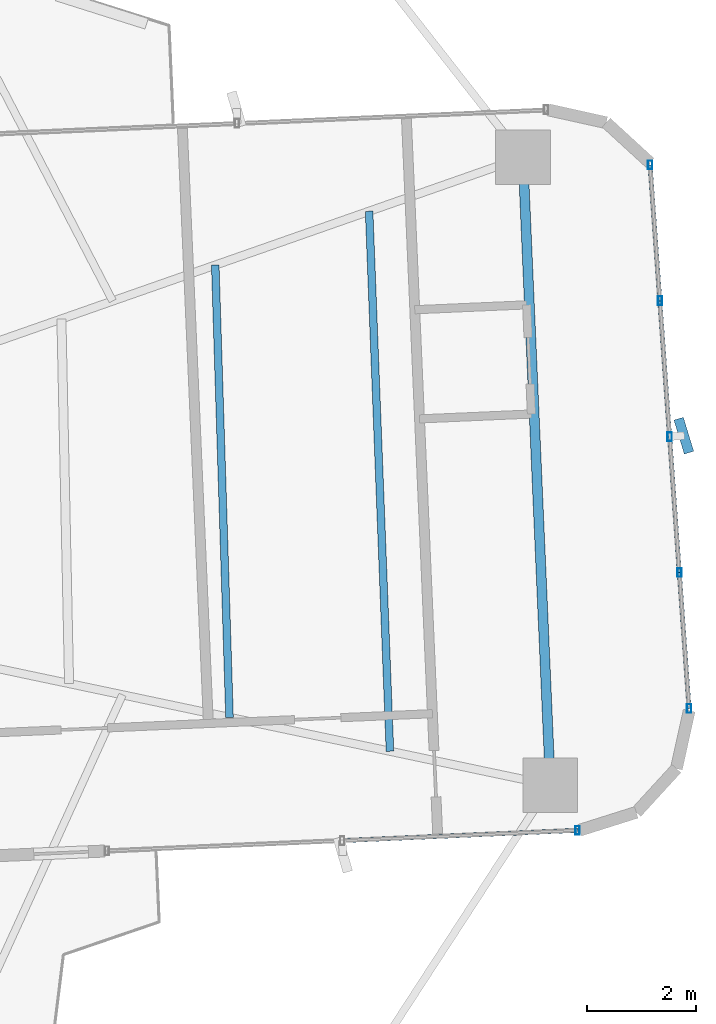
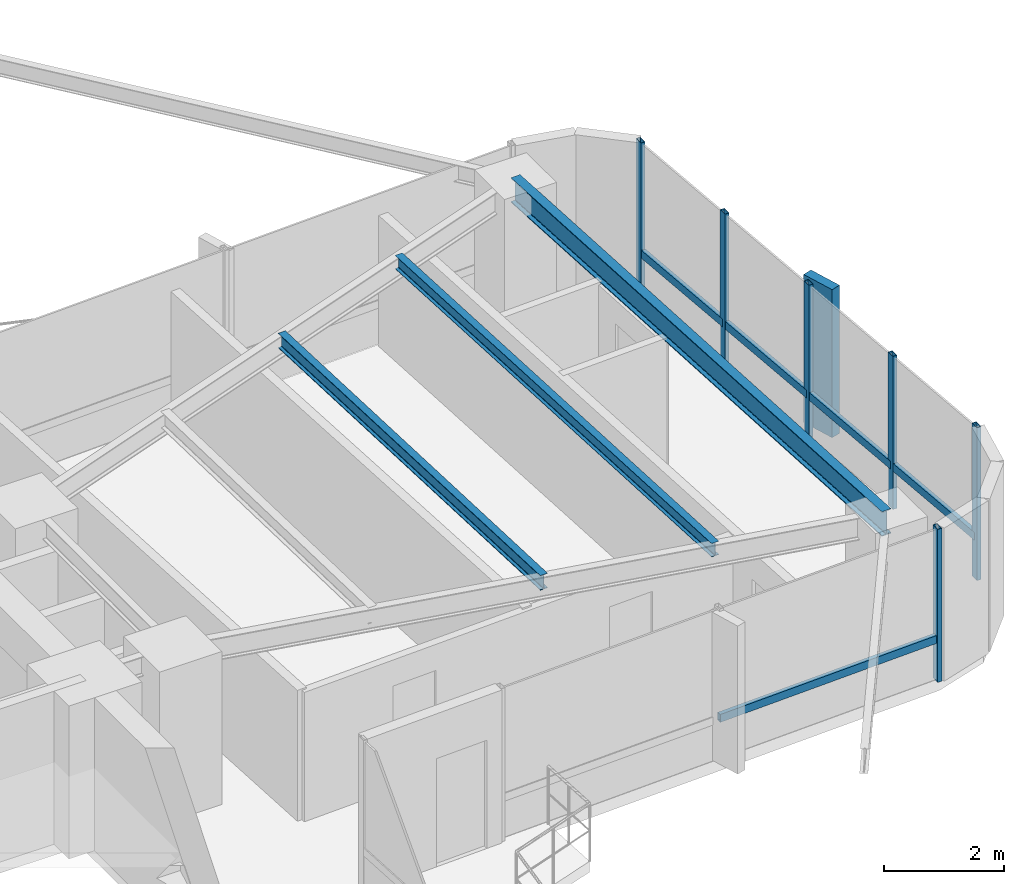
# One storey, part 15 of 26: 12 members, 3 beams, 2 elements without a shape of their own.
"""IFC4 building model written with IfcOpenShell, lengths in metres."""

from ifc_helpers import new_model, si_unit, direction, frame, origin, origin_2d, place, context, subcontext, project, spatial, rectangle, hollow_rectangle, i_section, extrude, source, transform, mapped, material, material_profile, profile_set, type_object, element, aggregate, save


model = new_model("IFC4")

# Units and contexts
model_context = context("Model", 3, precision=1e-05, world=origin(), true_north=direction((0.0, 1.0)))
body_context = subcontext(model_context, "Body", "Model", "MODEL_VIEW")
ifc_project = project(units=[si_unit("LENGTHUNIT", "METRE"), si_unit("AREAUNIT", "SQUARE_METRE"), si_unit("VOLUMEUNIT", "CUBIC_METRE"), si_unit("PLANEANGLEUNIT", "RADIAN"), si_unit("MASSUNIT", "GRAM", prefix="KILO")], contexts=[model_context])

# Site, building, storey
site_placement = place(None, origin())
site = spatial("IfcSite", under=ifc_project, at=site_placement, CompositionType="ELEMENT")
building_placement = place(site_placement, origin())
building = spatial("IfcBuilding", under=site, at=building_placement, Name="Sahyath Konkavel Grand Hotel", CompositionType="ELEMENT")
storey_placement = place(building_placement, frame((0.0, 0.0, 100.25)))
storey = spatial("IfcBuildingStorey", under=building, at=storey_placement, Name="L27", CompositionType="ELEMENT", Elevation=100.25)

# Beams
ifc_material_1 = material(Name="Steel E350", Category="steel")
ifc_material_profile_1 = material_profile(ifc_material_1, i_section(OverallWidth=0.179931640625, OverallDepth=0.5, WebThickness=0.01025390625, FlangeThickness=0.01708984375, FilletRadius=0.01708984375, at=origin_2d()), Name="ISMB 500")
ifc_profile_set_1 = profile_set([ifc_material_profile_1], Name="Steel E350")
beam_type_1 = type_object("IfcBeamType", Name="BM-ISMB500", PredefinedType="BEAM", material=ifc_profile_set_1)
shared_shape_1 = source(origin(), body_context, "Body", "SweptSolid", [
    extrude(i_section(OverallWidth=0.179931640625, OverallDepth=0.5, WebThickness=0.01025390625, FlangeThickness=0.01708984375, FilletRadius=0.01708984375, at=origin_2d()), origin(), (0.0, 0.0, 1.0), 11.5),
])
beam_1_placement = place(storey_placement, frame((17.734130859375, -4.981201171875, 2.860107421875), z_axis=(-0.043627008892, 0.99904788879, 0.0), x_axis=(-0.99904788879, -0.043627008892, 0.0)))
element("IfcBeam", 1, at=beam_1_placement, inside=storey, type_object=beam_type_1, Name="L27 Wing Tip Edge Beam E", PredefinedType="BEAM", context=body_context, shape_type="MappedRepresentation", body=[
    mapped(shared_shape_1, transform((0.0, 0.0, 0.0), scale=1.0)),
])
ifc_material_profile_2 = material_profile(ifc_material_1, i_section(OverallWidth=0.139892578125, OverallDepth=0.300048828125, WebThickness=0.0078125, FlangeThickness=0.01318359375, FilletRadius=0.013916015625, at=origin_2d()), Name="ISMB 300")
ifc_profile_set_2 = profile_set([ifc_material_profile_2], Name="Steel E350")
beam_type_2 = type_object("IfcBeamType", Name="BM-ISMB300", PredefinedType="BEAM", material=ifc_profile_set_2)
shared_shape_2 = source(origin(), body_context, "Body", "SweptSolid", [
    extrude(i_section(OverallWidth=0.139892578125, OverallDepth=0.300048828125, WebThickness=0.0078125, FlangeThickness=0.01318359375, FilletRadius=0.013916015625, at=origin_2d()), origin(), (0.0, 0.0, 1.0), 8.282470703125),
])
beam_2_placement = place(storey_placement, frame((11.86181640625, -3.7421875, 2.9599609375), z_axis=(-0.031510827707, 0.999503410568, 0.0), x_axis=(-0.999503410568, -0.031510827707, 0.0)))
element("IfcBeam", 2, at=beam_2_placement, inside=storey, type_object=beam_type_2, Name="L27 Secondary Floor Beam E-2", PredefinedType="BEAM", context=body_context, shape_type="MappedRepresentation", body=[
    mapped(shared_shape_2, transform((0.0, 0.0, 0.0), scale=1.0)),
])
ifc_material_profile_3 = material_profile(ifc_material_1, i_section(OverallWidth=0.139892578125, OverallDepth=0.27490234375, WebThickness=0.00634765625, FlangeThickness=0.0087890625, FilletRadius=0.012939453125, at=origin_2d()), Name="ISLB 275")
ifc_profile_set_3 = profile_set([ifc_material_profile_3], Name="Steel E350")
beam_type_3 = type_object("IfcBeamType", Name="BM-ISLB275", PredefinedType="BEAM", material=ifc_profile_set_3)
shared_shape_3 = source(origin(), body_context, "Body", "SweptSolid", [
    extrude(i_section(OverallWidth=0.139892578125, OverallDepth=0.27490234375, WebThickness=0.00634765625, FlangeThickness=0.0087890625, FilletRadius=0.012939453125, at=origin_2d()), origin(), (0.0, 0.0, 1.0), 9.89111328125),
])
beam_3_placement = place(storey_placement, frame((14.798095703125, -4.36181640625, 2.972412109375), z_axis=(-0.03855445741, 0.999256500511, 0.0), x_axis=(-0.999256500511, -0.03855445741, 0.0)))
element("IfcBeam", 3, at=beam_3_placement, inside=storey, type_object=beam_type_3, Name="L27 Secondary Floor Beam E-3", PredefinedType="BEAM", context=body_context, shape_type="MappedRepresentation", body=[
    mapped(shared_shape_3, transform((0.0, 0.0, 0.0), scale=1.0)),
])

# Curtain wall, member
ifc_material_2 = material(Name="Anodised Bronze Aluminium & Low-E Glazing", Category="aluminium")
curtain_wall_type = type_object("IfcCurtainWallType", Name="CW-ZONE2", PredefinedType="NOTDEFINED", material=ifc_material_2)
curtain_wall_1_placement = place(storey_placement, origin())
curtain_wall_1 = element("IfcCurtainWall", 4, at=curtain_wall_1_placement, inside=storey, type_object=curtain_wall_type, Name="L27 Unitised Curtain Wall F4", PredefinedType="NOTDEFINED")
ifc_material_3 = material(Name="Warm Buff Sandstone Cladding on Concrete C50/60", Category="masonry")
ifc_material_profile_4 = material_profile(ifc_material_3, rectangle(XDim=0.179931640625, YDim=0.64990234375, at=origin_2d()), Name="FIN 180x650")
ifc_profile_set_4 = profile_set([ifc_material_profile_4], Name="Warm Buff Sandstone Cladding on Concrete C50/60")
member_type_1 = type_object("IfcMemberType", Name="FIN-SANDSTONE-650", PredefinedType="MULLION", material=ifc_profile_set_4)
shared_shape_4 = source(origin(), body_context, "Body", "SweptSolid", [
    extrude(rectangle(XDim=0.179931640625, YDim=0.64990234375, at=origin_2d()), origin(), (0.0, 0.0, 1.0), 3.010009765625),
])
member_1_placement = place(storey_placement, frame((20.1767578125, 1.413818359375, 0.050048828125), z_axis=(0.0, 0.0, 1.0), x_axis=(0.956610402488, 0.291370104596, 0.0)))
member_1 = element("IfcMember", 5, at=member_1_placement, type_object=member_type_1, Name="L27 Sandstone Vertical Solar Fin FIN F4-2", PredefinedType="MULLION", context=body_context, shape_type="MappedRepresentation", body=[
    mapped(shared_shape_4, transform((0.0, 0.0, 0.0), scale=1.0)),
])

curtain_wall_2_placement = place(storey_placement, origin())
curtain_wall_2 = element("IfcCurtainWall", 6, at=curtain_wall_2_placement, inside=storey, type_object=curtain_wall_type, Name="L27 Unitised Curtain Wall F0", PredefinedType="NOTDEFINED")
ifc_material_4 = material(Name="Anodised Bronze Aluminium", Category="aluminium")
ifc_material_profile_5 = material_profile(ifc_material_4, hollow_rectangle(XDim=0.080078125, YDim=0.159912109375, WallThickness=0.006103515625, at=origin_2d()), Name="RHS 160x80x6")
ifc_profile_set_5 = profile_set([ifc_material_profile_5], Name="Anodised Bronze Aluminium")
member_type_2 = type_object("IfcMemberType", Name="CW-MUL-160", PredefinedType="MULLION", material=ifc_profile_set_5)
shared_shape_5 = source(origin(), body_context, "Body", "SweptSolid", [
    extrude(hollow_rectangle(XDim=0.080078125, YDim=0.159912109375, WallThickness=0.006103515625, at=origin_2d()), origin(), (0.0, 0.0, 1.0), 3.110107421875),
])
member_2_placement = place(storey_placement, frame((18.230712890625, -5.810302734375, 0.0), z_axis=(0.0, 0.0, 1.0), x_axis=(1.0, 0.0, 0.0)))
member_2 = element("IfcMember", 7, at=member_2_placement, type_object=member_type_2, Name="L27 Curtain Wall Mullion F0-2", PredefinedType="MULLION", context=body_context, shape_type="MappedRepresentation", body=[
    mapped(shared_shape_5, transform((0.0, 0.0, 0.0), scale=1.0)),
])

# Member
member_3_placement = place(storey_placement, frame((20.2744140625, -3.5791015625, 0.0), z_axis=(0.0, 0.0, 1.0), x_axis=(1.0, 0.0, 0.0)))
member_3 = element("IfcMember", 8, at=member_3_placement, type_object=member_type_2, Name="L27 Curtain Wall Mullion F4-0", PredefinedType="MULLION", context=body_context, shape_type="MappedRepresentation", body=[
    mapped(shared_shape_5, transform((0.0, 0.0, 0.0), scale=1.0)),
])

member_4_placement = place(storey_placement, frame((20.095947265625, -1.092041015625, 0.0), z_axis=(0.0, 0.0, 1.0), x_axis=(1.0, 0.0, 0.0)))
member_4 = element("IfcMember", 9, at=member_4_placement, type_object=member_type_2, Name="L27 Curtain Wall Mullion F4-1", PredefinedType="MULLION", context=body_context, shape_type="MappedRepresentation", body=[
    mapped(shared_shape_5, transform((0.0, 0.0, 0.0), scale=1.0)),
])

member_5_placement = place(storey_placement, frame((19.91748046875, 1.39501953125, 0.0), z_axis=(0.0, 0.0, 1.0), x_axis=(1.0, 0.0, 0.0)))
member_5 = element("IfcMember", 10, at=member_5_placement, type_object=member_type_2, Name="L27 Curtain Wall Mullion F4-2", PredefinedType="MULLION", context=body_context, shape_type="MappedRepresentation", body=[
    mapped(shared_shape_5, transform((0.0, 0.0, 0.0), scale=1.0)),
])

member_6_placement = place(storey_placement, frame((19.739013671875, 3.882080078125, 0.0), z_axis=(0.0, 0.0, 1.0), x_axis=(1.0, 0.0, 0.0)))
member_6 = element("IfcMember", 11, at=member_6_placement, type_object=member_type_2, Name="L27 Curtain Wall Mullion F4-3", PredefinedType="MULLION", context=body_context, shape_type="MappedRepresentation", body=[
    mapped(shared_shape_5, transform((0.0, 0.0, 0.0), scale=1.0)),
])

member_7_placement = place(storey_placement, frame((19.560546875, 6.369384765625, 0.0), z_axis=(0.0, 0.0, 1.0), x_axis=(1.0, 0.0, 0.0)))
member_7 = element("IfcMember", 12, at=member_7_placement, type_object=member_type_2, Name="L27 Curtain Wall Mullion F4-4", PredefinedType="MULLION", context=body_context, shape_type="MappedRepresentation", body=[
    mapped(shared_shape_5, transform((0.0, 0.0, 0.0), scale=1.0)),
])

ifc_material_profile_6 = material_profile(ifc_material_4, hollow_rectangle(XDim=0.080078125, YDim=0.159912109375, WallThickness=0.006103515625, at=origin_2d()), Name="RHS 160x80x6")
ifc_profile_set_6 = profile_set([ifc_material_profile_6], Name="Anodised Bronze Aluminium")
member_type_3 = type_object("IfcMemberType", Name="CW-TRN-160", PredefinedType="USERDEFINED", material=ifc_profile_set_6)
shared_shape_6 = source(origin(), body_context, "Body", "SweptSolid", [
    extrude(hollow_rectangle(XDim=0.080078125, YDim=0.159912109375, WallThickness=0.006103515625, at=origin_2d()), origin(), (0.0, 0.0, 1.0), 4.31005859375),
])
member_8_placement = place(storey_placement, frame((13.9248046875, -5.998291015625, 0.85009765625), z_axis=(0.999048340188, 0.043616670746, 0.0), x_axis=(-0.043616670746, 0.999048340188, 0.0)))
member_8 = element("IfcMember", 13, at=member_8_placement, type_object=member_type_3, Name="L27 Curtain Wall Transom F0-1-spandrel", ObjectType="TRANSOM", PredefinedType="USERDEFINED", context=body_context, shape_type="MappedRepresentation", body=[
    mapped(shared_shape_6, transform((0.0, 0.0, 0.0), scale=1.0)),
])

aggregate(curtain_wall_2, [member_2, member_8])

shared_shape_7 = source(origin(), body_context, "Body", "SweptSolid", [
    extrude(hollow_rectangle(XDim=0.080078125, YDim=0.159912109375, WallThickness=0.006103515625, at=origin_2d()), origin(), (0.0, 0.0, 1.0), 2.493408203125),
])
member_9_placement = place(storey_placement, frame((20.2744140625, -3.5791015625, 0.85009765625), z_axis=(-0.071574084062, 0.997435286367, 0.0), x_axis=(-0.997435286367, -0.071574084062, 0.0)))
member_9 = element("IfcMember", 14, at=member_9_placement, type_object=member_type_3, Name="L27 Curtain Wall Transom F4-0-spandrel", ObjectType="TRANSOM", PredefinedType="USERDEFINED", context=body_context, shape_type="MappedRepresentation", body=[
    mapped(shared_shape_7, transform((0.0, 0.0, 0.0), scale=1.0)),
])

member_10_placement = place(storey_placement, frame((20.095947265625, -1.092041015625, 0.85009765625), z_axis=(-0.071574084062, 0.997435286367, 0.0), x_axis=(-0.997435286367, -0.071574084062, 0.0)))
member_10 = element("IfcMember", 15, at=member_10_placement, type_object=member_type_3, Name="L27 Curtain Wall Transom F4-1-spandrel", ObjectType="TRANSOM", PredefinedType="USERDEFINED", context=body_context, shape_type="MappedRepresentation", body=[
    mapped(shared_shape_7, transform((0.0, 0.0, 0.0), scale=1.0)),
])

member_11_placement = place(storey_placement, frame((19.91748046875, 1.39501953125, 0.85009765625), z_axis=(-0.071574084062, 0.997435286367, 0.0), x_axis=(-0.997435286367, -0.071574084062, 0.0)))
member_11 = element("IfcMember", 16, at=member_11_placement, type_object=member_type_3, Name="L27 Curtain Wall Transom F4-2-spandrel", ObjectType="TRANSOM", PredefinedType="USERDEFINED", context=body_context, shape_type="MappedRepresentation", body=[
    mapped(shared_shape_7, transform((0.0, 0.0, 0.0), scale=1.0)),
])

shared_shape_8 = source(origin(), body_context, "Body", "SweptSolid", [
    extrude(hollow_rectangle(XDim=0.080078125, YDim=0.159912109375, WallThickness=0.006103515625, at=origin_2d()), origin(), (0.0, 0.0, 1.0), 2.49365234375),
])
member_12_placement = place(storey_placement, frame((19.739013671875, 3.882080078125, 0.85009765625), z_axis=(-0.071567094714, 0.997435787885, 0.0), x_axis=(-0.997435787885, -0.071567094714, 0.0)))
member_12 = element("IfcMember", 17, at=member_12_placement, type_object=member_type_3, Name="L27 Curtain Wall Transom F4-3-spandrel", ObjectType="TRANSOM", PredefinedType="USERDEFINED", context=body_context, shape_type="MappedRepresentation", body=[
    mapped(shared_shape_8, transform((0.0, 0.0, 0.0), scale=1.0)),
])

aggregate(curtain_wall_1, [member_3, member_4, member_5, member_1, member_6, member_7, member_9, member_10, member_11, member_12])

save(model, "model.ifc")
